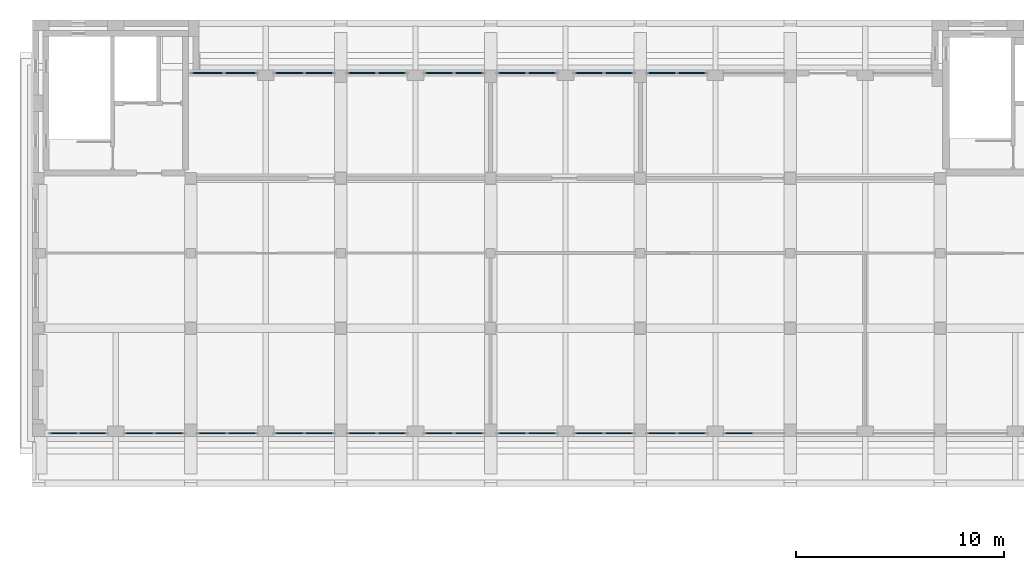
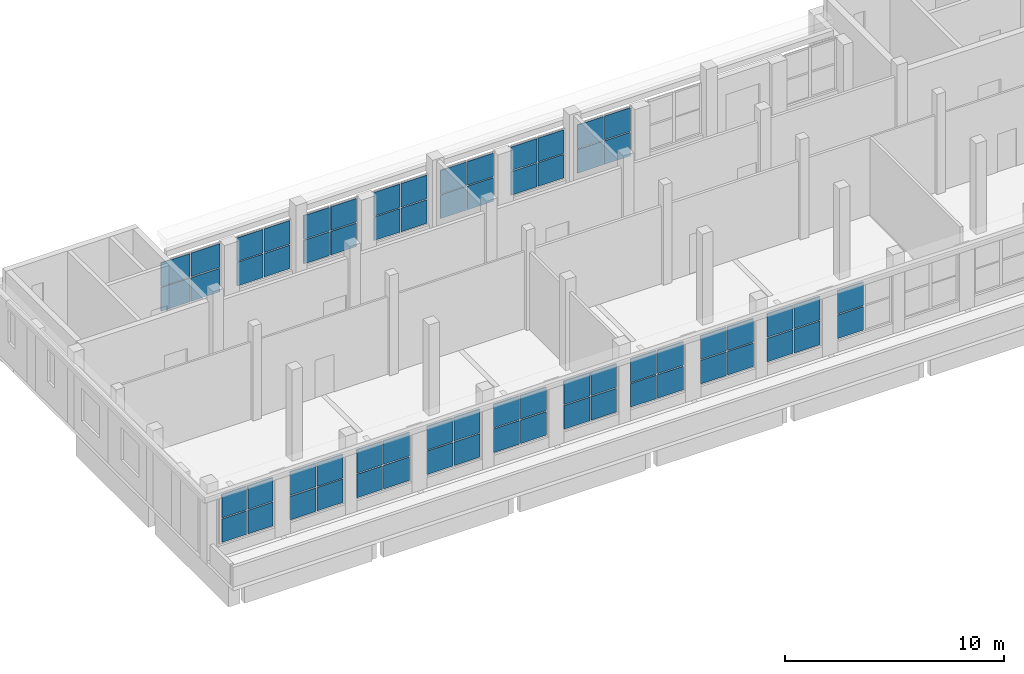
# One storey, part 11 of 30: 66 plates, 17 elements without a shape of their own.
"""IFC4 building model written with IfcOpenShell, lengths in metres."""

from ifc_helpers import new_model, si_unit, direction, frame, origin, origin_2d, place, context, subcontext, project, spatial, rectangle, extrude, material, layer, layer_set, type_object, element, aggregate, save


model = new_model("IFC4")

# Units and contexts
model_context = context("Model", 3, precision=1e-05, world=origin(), true_north=direction((0.0, 1.0)))
body_context = subcontext(model_context, "Body", "Model", "MODEL_VIEW")
ifc_project = project(units=[si_unit("LENGTHUNIT", "METRE"), si_unit("AREAUNIT", "SQUARE_METRE"), si_unit("VOLUMEUNIT", "CUBIC_METRE"), si_unit("PLANEANGLEUNIT", "RADIAN"), si_unit("MASSUNIT", "GRAM", prefix="KILO")], contexts=[model_context])

# Site, building, storey
site_placement = place(None, origin())
site = spatial("IfcSite", under=ifc_project, at=site_placement, CompositionType="ELEMENT")
building_placement = place(site_placement, origin())
building = spatial("IfcBuilding", under=site, at=building_placement, Name="Ussher Court Research Institute", CompositionType="ELEMENT")
storey_placement = place(building_placement, frame((0.0, 0.0, 27.89990234375)))
storey = spatial("IfcBuildingStorey", under=building, at=storey_placement, Name="L06", CompositionType="ELEMENT", Elevation=27.89990234375)

# Curtain wall, plates
ifc_material_1 = material(Name="Bronze anodised aluminium with insulated low-e glass", Category="aluminium")
ifc_layer_1 = layer(ifc_material_1, 0.1201171875)
ifc_layer_set_1 = layer_set([ifc_layer_1], Name="Bronze anodised aluminium with insulated low-e glass")
curtain_wall_type = type_object("IfcCurtainWallType", Name="Curtain wall attic gallery glazing", PredefinedType="NOTDEFINED", material=ifc_layer_set_1)
curtain_wall_1_placement = place(storey_placement, origin())
curtain_wall_1 = element("IfcCurtainWall", 1, at=curtain_wall_1_placement, inside=storey, type_object=curtain_wall_type, Name="Curtain wall CW11 L06", PredefinedType="NOTDEFINED")
ifc_material_2 = material(Name="Insulated glazed unit low-e")
ifc_layer_2 = layer(ifc_material_2, 0.06005859375)
ifc_layer_set_2 = layer_set([ifc_layer_2], Name="Insulated glazed unit low-e")
plate_type = type_object("IfcPlateType", Name="Insulated glazing panel 60 mm", PredefinedType="CURTAIN_PANEL", material=ifc_layer_set_2)
plate_1_placement = place(storey_placement, frame((36.5400390625, 70.949951171875, 0.66015625), z_axis=(0.0, 0.0, 1.0), x_axis=(-1.0, 0.0, 0.0)))
plate_1 = element("IfcPlate", 2, at=plate_1_placement, type_object=plate_type, Name="CW11 panel 2.1", PredefinedType="CURTAIN_PANEL", context=body_context, shape_type="SweptSolid", body=[
    extrude(rectangle(XDim=1.360107421875, YDim=0.06005859375, at=origin_2d()), origin(), (0.0, 0.0, 1.0), 1.31005859375),
])
plate_2_placement = place(storey_placement, frame((36.5400390625, 70.949951171875, 2.030029296875), z_axis=(0.0, 0.0, 1.0), x_axis=(-1.0, 0.0, 0.0)))
plate_2 = element("IfcPlate", 3, at=plate_2_placement, type_object=plate_type, Name="CW11 panel 2.2", PredefinedType="CURTAIN_PANEL", context=body_context, shape_type="SweptSolid", body=[
    extrude(rectangle(XDim=1.360107421875, YDim=0.06005859375, at=origin_2d()), origin(), (0.0, 0.0, 1.0), 1.31005859375),
])
aggregate(curtain_wall_1, [plate_1, plate_2])

curtain_wall_2_placement = place(storey_placement, origin())
curtain_wall_2 = element("IfcCurtainWall", 4, at=curtain_wall_2_placement, inside=storey, type_object=curtain_wall_type, Name="Curtain wall CW11 L06", PredefinedType="NOTDEFINED")
plate_3_placement = place(storey_placement, frame((34.260009765625, 70.949951171875, 0.66015625), z_axis=(0.0, 0.0, 1.0), x_axis=(-1.0, 0.0, 0.0)))
plate_3 = element("IfcPlate", 5, at=plate_3_placement, type_object=plate_type, Name="CW11 panel 1.1", PredefinedType="CURTAIN_PANEL", context=body_context, shape_type="SweptSolid", body=[
    extrude(rectangle(XDim=1.360107421875, YDim=0.06005859375, at=origin_2d()), origin(), (0.0, 0.0, 1.0), 1.31005859375),
])
plate_4_placement = place(storey_placement, frame((34.260009765625, 70.949951171875, 2.030029296875), z_axis=(0.0, 0.0, 1.0), x_axis=(-1.0, 0.0, 0.0)))
plate_4 = element("IfcPlate", 6, at=plate_4_placement, type_object=plate_type, Name="CW11 panel 1.2", PredefinedType="CURTAIN_PANEL", context=body_context, shape_type="SweptSolid", body=[
    extrude(rectangle(XDim=1.360107421875, YDim=0.06005859375, at=origin_2d()), origin(), (0.0, 0.0, 1.0), 1.31005859375),
])
plate_5_placement = place(storey_placement, frame((32.840087890625, 70.949951171875, 0.66015625), z_axis=(0.0, 0.0, 1.0), x_axis=(-1.0, 0.0, 0.0)))
plate_5 = element("IfcPlate", 7, at=plate_5_placement, type_object=plate_type, Name="CW11 panel 2.1", PredefinedType="CURTAIN_PANEL", context=body_context, shape_type="SweptSolid", body=[
    extrude(rectangle(XDim=1.360107421875, YDim=0.06005859375, at=origin_2d()), origin(), (0.0, 0.0, 1.0), 1.31005859375),
])
plate_6_placement = place(storey_placement, frame((32.840087890625, 70.949951171875, 2.030029296875), z_axis=(0.0, 0.0, 1.0), x_axis=(-1.0, 0.0, 0.0)))
plate_6 = element("IfcPlate", 8, at=plate_6_placement, type_object=plate_type, Name="CW11 panel 2.2", PredefinedType="CURTAIN_PANEL", context=body_context, shape_type="SweptSolid", body=[
    extrude(rectangle(XDim=1.360107421875, YDim=0.06005859375, at=origin_2d()), origin(), (0.0, 0.0, 1.0), 1.31005859375),
])
aggregate(curtain_wall_2, [plate_3, plate_4, plate_5, plate_6])

curtain_wall_3_placement = place(storey_placement, origin())
curtain_wall_3 = element("IfcCurtainWall", 9, at=curtain_wall_3_placement, inside=storey, type_object=curtain_wall_type, Name="Curtain wall CW11 L06", PredefinedType="NOTDEFINED")
plate_7_placement = place(storey_placement, frame((30.760009765625, 70.949951171875, 0.66015625), z_axis=(0.0, 0.0, 1.0), x_axis=(-1.0, 0.0, 0.0)))
plate_7 = element("IfcPlate", 10, at=plate_7_placement, type_object=plate_type, Name="CW11 panel 1.1", PredefinedType="CURTAIN_PANEL", context=body_context, shape_type="SweptSolid", body=[
    extrude(rectangle(XDim=1.360107421875, YDim=0.06005859375, at=origin_2d()), origin(), (0.0, 0.0, 1.0), 1.31005859375),
])
plate_8_placement = place(storey_placement, frame((30.760009765625, 70.949951171875, 2.030029296875), z_axis=(0.0, 0.0, 1.0), x_axis=(-1.0, 0.0, 0.0)))
plate_8 = element("IfcPlate", 11, at=plate_8_placement, type_object=plate_type, Name="CW11 panel 1.2", PredefinedType="CURTAIN_PANEL", context=body_context, shape_type="SweptSolid", body=[
    extrude(rectangle(XDim=1.360107421875, YDim=0.06005859375, at=origin_2d()), origin(), (0.0, 0.0, 1.0), 1.31005859375),
])
plate_9_placement = place(storey_placement, frame((29.340087890625, 70.949951171875, 0.66015625), z_axis=(0.0, 0.0, 1.0), x_axis=(-1.0, 0.0, 0.0)))
plate_9 = element("IfcPlate", 12, at=plate_9_placement, type_object=plate_type, Name="CW11 panel 2.1", PredefinedType="CURTAIN_PANEL", context=body_context, shape_type="SweptSolid", body=[
    extrude(rectangle(XDim=1.360107421875, YDim=0.06005859375, at=origin_2d()), origin(), (0.0, 0.0, 1.0), 1.31005859375),
])
plate_10_placement = place(storey_placement, frame((29.340087890625, 70.949951171875, 2.030029296875), z_axis=(0.0, 0.0, 1.0), x_axis=(-1.0, 0.0, 0.0)))
plate_10 = element("IfcPlate", 13, at=plate_10_placement, type_object=plate_type, Name="CW11 panel 2.2", PredefinedType="CURTAIN_PANEL", context=body_context, shape_type="SweptSolid", body=[
    extrude(rectangle(XDim=1.360107421875, YDim=0.06005859375, at=origin_2d()), origin(), (0.0, 0.0, 1.0), 1.31005859375),
])
aggregate(curtain_wall_3, [plate_7, plate_8, plate_9, plate_10])

curtain_wall_4_placement = place(storey_placement, origin())
curtain_wall_4 = element("IfcCurtainWall", 14, at=curtain_wall_4_placement, inside=storey, type_object=curtain_wall_type, Name="Curtain wall CW11 L06", PredefinedType="NOTDEFINED")
plate_11_placement = place(storey_placement, frame((27.06005859375, 70.949951171875, 0.66015625), z_axis=(0.0, 0.0, 1.0), x_axis=(-1.0, 0.0, 0.0)))
plate_11 = element("IfcPlate", 15, at=plate_11_placement, type_object=plate_type, Name="CW11 panel 1.1", PredefinedType="CURTAIN_PANEL", context=body_context, shape_type="SweptSolid", body=[
    extrude(rectangle(XDim=1.360107421875, YDim=0.06005859375, at=origin_2d()), origin(), (0.0, 0.0, 1.0), 1.31005859375),
])
plate_12_placement = place(storey_placement, frame((27.06005859375, 70.949951171875, 2.030029296875), z_axis=(0.0, 0.0, 1.0), x_axis=(-1.0, 0.0, 0.0)))
plate_12 = element("IfcPlate", 16, at=plate_12_placement, type_object=plate_type, Name="CW11 panel 1.2", PredefinedType="CURTAIN_PANEL", context=body_context, shape_type="SweptSolid", body=[
    extrude(rectangle(XDim=1.360107421875, YDim=0.06005859375, at=origin_2d()), origin(), (0.0, 0.0, 1.0), 1.31005859375),
])
plate_13_placement = place(storey_placement, frame((25.639892578125, 70.949951171875, 0.66015625), z_axis=(0.0, 0.0, 1.0), x_axis=(-1.0, 0.0, 0.0)))
plate_13 = element("IfcPlate", 17, at=plate_13_placement, type_object=plate_type, Name="CW11 panel 2.1", PredefinedType="CURTAIN_PANEL", context=body_context, shape_type="SweptSolid", body=[
    extrude(rectangle(XDim=1.360107421875, YDim=0.06005859375, at=origin_2d()), origin(), (0.0, 0.0, 1.0), 1.31005859375),
])
plate_14_placement = place(storey_placement, frame((25.639892578125, 70.949951171875, 2.030029296875), z_axis=(0.0, 0.0, 1.0), x_axis=(-1.0, 0.0, 0.0)))
plate_14 = element("IfcPlate", 18, at=plate_14_placement, type_object=plate_type, Name="CW11 panel 2.2", PredefinedType="CURTAIN_PANEL", context=body_context, shape_type="SweptSolid", body=[
    extrude(rectangle(XDim=1.360107421875, YDim=0.06005859375, at=origin_2d()), origin(), (0.0, 0.0, 1.0), 1.31005859375),
])
aggregate(curtain_wall_4, [plate_11, plate_12, plate_13, plate_14])

curtain_wall_5_placement = place(storey_placement, origin())
curtain_wall_5 = element("IfcCurtainWall", 19, at=curtain_wall_5_placement, inside=storey, type_object=curtain_wall_type, Name="Curtain wall CW11 L06", PredefinedType="NOTDEFINED")
plate_15_placement = place(storey_placement, frame((23.56005859375, 70.949951171875, 0.66015625), z_axis=(0.0, 0.0, 1.0), x_axis=(-1.0, 0.0, 0.0)))
plate_15 = element("IfcPlate", 20, at=plate_15_placement, type_object=plate_type, Name="CW11 panel 1.1", PredefinedType="CURTAIN_PANEL", context=body_context, shape_type="SweptSolid", body=[
    extrude(rectangle(XDim=1.360107421875, YDim=0.06005859375, at=origin_2d()), origin(), (0.0, 0.0, 1.0), 1.31005859375),
])
plate_16_placement = place(storey_placement, frame((23.56005859375, 70.949951171875, 2.030029296875), z_axis=(0.0, 0.0, 1.0), x_axis=(-1.0, 0.0, 0.0)))
plate_16 = element("IfcPlate", 21, at=plate_16_placement, type_object=plate_type, Name="CW11 panel 1.2", PredefinedType="CURTAIN_PANEL", context=body_context, shape_type="SweptSolid", body=[
    extrude(rectangle(XDim=1.360107421875, YDim=0.06005859375, at=origin_2d()), origin(), (0.0, 0.0, 1.0), 1.31005859375),
])
plate_17_placement = place(storey_placement, frame((22.139892578125, 70.949951171875, 0.66015625), z_axis=(0.0, 0.0, 1.0), x_axis=(-1.0, 0.0, 0.0)))
plate_17 = element("IfcPlate", 22, at=plate_17_placement, type_object=plate_type, Name="CW11 panel 2.1", PredefinedType="CURTAIN_PANEL", context=body_context, shape_type="SweptSolid", body=[
    extrude(rectangle(XDim=1.360107421875, YDim=0.06005859375, at=origin_2d()), origin(), (0.0, 0.0, 1.0), 1.31005859375),
])
plate_18_placement = place(storey_placement, frame((22.139892578125, 70.949951171875, 2.030029296875), z_axis=(0.0, 0.0, 1.0), x_axis=(-1.0, 0.0, 0.0)))
plate_18 = element("IfcPlate", 23, at=plate_18_placement, type_object=plate_type, Name="CW11 panel 2.2", PredefinedType="CURTAIN_PANEL", context=body_context, shape_type="SweptSolid", body=[
    extrude(rectangle(XDim=1.360107421875, YDim=0.06005859375, at=origin_2d()), origin(), (0.0, 0.0, 1.0), 1.31005859375),
])
aggregate(curtain_wall_5, [plate_15, plate_16, plate_17, plate_18])

curtain_wall_6_placement = place(storey_placement, origin())
curtain_wall_6 = element("IfcCurtainWall", 24, at=curtain_wall_6_placement, inside=storey, type_object=curtain_wall_type, Name="Curtain wall CW11 L06", PredefinedType="NOTDEFINED")
plate_19_placement = place(storey_placement, frame((19.860107421875, 70.949951171875, 0.66015625), z_axis=(0.0, 0.0, 1.0), x_axis=(-1.0, 0.0, 0.0)))
plate_19 = element("IfcPlate", 25, at=plate_19_placement, type_object=plate_type, Name="CW11 panel 1.1", PredefinedType="CURTAIN_PANEL", context=body_context, shape_type="SweptSolid", body=[
    extrude(rectangle(XDim=1.360107421875, YDim=0.06005859375, at=origin_2d()), origin(), (0.0, 0.0, 1.0), 1.31005859375),
])
plate_20_placement = place(storey_placement, frame((19.860107421875, 70.949951171875, 2.030029296875), z_axis=(0.0, 0.0, 1.0), x_axis=(-1.0, 0.0, 0.0)))
plate_20 = element("IfcPlate", 26, at=plate_20_placement, type_object=plate_type, Name="CW11 panel 1.2", PredefinedType="CURTAIN_PANEL", context=body_context, shape_type="SweptSolid", body=[
    extrude(rectangle(XDim=1.360107421875, YDim=0.06005859375, at=origin_2d()), origin(), (0.0, 0.0, 1.0), 1.31005859375),
])
plate_21_placement = place(storey_placement, frame((18.43994140625, 70.949951171875, 0.66015625), z_axis=(0.0, 0.0, 1.0), x_axis=(-1.0, 0.0, 0.0)))
plate_21 = element("IfcPlate", 27, at=plate_21_placement, type_object=plate_type, Name="CW11 panel 2.1", PredefinedType="CURTAIN_PANEL", context=body_context, shape_type="SweptSolid", body=[
    extrude(rectangle(XDim=1.360107421875, YDim=0.06005859375, at=origin_2d()), origin(), (0.0, 0.0, 1.0), 1.31005859375),
])
plate_22_placement = place(storey_placement, frame((18.43994140625, 70.949951171875, 2.030029296875), z_axis=(0.0, 0.0, 1.0), x_axis=(-1.0, 0.0, 0.0)))
plate_22 = element("IfcPlate", 28, at=plate_22_placement, type_object=plate_type, Name="CW11 panel 2.2", PredefinedType="CURTAIN_PANEL", context=body_context, shape_type="SweptSolid", body=[
    extrude(rectangle(XDim=1.360107421875, YDim=0.06005859375, at=origin_2d()), origin(), (0.0, 0.0, 1.0), 1.31005859375),
])
aggregate(curtain_wall_6, [plate_19, plate_20, plate_21, plate_22])

curtain_wall_7_placement = place(storey_placement, origin())
curtain_wall_7 = element("IfcCurtainWall", 29, at=curtain_wall_7_placement, inside=storey, type_object=curtain_wall_type, Name="Curtain wall CW11 L06", PredefinedType="NOTDEFINED")
plate_23_placement = place(storey_placement, frame((16.360107421875, 70.949951171875, 0.66015625), z_axis=(0.0, 0.0, 1.0), x_axis=(-1.0, 0.0, 0.0)))
plate_23 = element("IfcPlate", 30, at=plate_23_placement, type_object=plate_type, Name="CW11 panel 1.1", PredefinedType="CURTAIN_PANEL", context=body_context, shape_type="SweptSolid", body=[
    extrude(rectangle(XDim=1.360107421875, YDim=0.06005859375, at=origin_2d()), origin(), (0.0, 0.0, 1.0), 1.31005859375),
])
plate_24_placement = place(storey_placement, frame((16.360107421875, 70.949951171875, 2.030029296875), z_axis=(0.0, 0.0, 1.0), x_axis=(-1.0, 0.0, 0.0)))
plate_24 = element("IfcPlate", 31, at=plate_24_placement, type_object=plate_type, Name="CW11 panel 1.2", PredefinedType="CURTAIN_PANEL", context=body_context, shape_type="SweptSolid", body=[
    extrude(rectangle(XDim=1.360107421875, YDim=0.06005859375, at=origin_2d()), origin(), (0.0, 0.0, 1.0), 1.31005859375),
])
plate_25_placement = place(storey_placement, frame((14.93994140625, 70.949951171875, 0.66015625), z_axis=(0.0, 0.0, 1.0), x_axis=(-1.0, 0.0, 0.0)))
plate_25 = element("IfcPlate", 32, at=plate_25_placement, type_object=plate_type, Name="CW11 panel 2.1", PredefinedType="CURTAIN_PANEL", context=body_context, shape_type="SweptSolid", body=[
    extrude(rectangle(XDim=1.360107421875, YDim=0.06005859375, at=origin_2d()), origin(), (0.0, 0.0, 1.0), 1.31005859375),
])
plate_26_placement = place(storey_placement, frame((14.93994140625, 70.949951171875, 2.030029296875), z_axis=(0.0, 0.0, 1.0), x_axis=(-1.0, 0.0, 0.0)))
plate_26 = element("IfcPlate", 33, at=plate_26_placement, type_object=plate_type, Name="CW11 panel 2.2", PredefinedType="CURTAIN_PANEL", context=body_context, shape_type="SweptSolid", body=[
    extrude(rectangle(XDim=1.360107421875, YDim=0.06005859375, at=origin_2d()), origin(), (0.0, 0.0, 1.0), 1.31005859375),
])
aggregate(curtain_wall_7, [plate_23, plate_24, plate_25, plate_26])

curtain_wall_8_placement = place(storey_placement, origin())
curtain_wall_8 = element("IfcCurtainWall", 34, at=curtain_wall_8_placement, inside=storey, type_object=curtain_wall_type, Name="Curtain wall CW11 L06", PredefinedType="NOTDEFINED")
plate_27_placement = place(storey_placement, frame((12.659912109375, 70.949951171875, 0.66015625), z_axis=(0.0, 0.0, 1.0), x_axis=(-1.0, 0.0, 0.0)))
plate_27 = element("IfcPlate", 35, at=plate_27_placement, type_object=plate_type, Name="CW11 panel 1.1", PredefinedType="CURTAIN_PANEL", context=body_context, shape_type="SweptSolid", body=[
    extrude(rectangle(XDim=1.360107421875, YDim=0.06005859375, at=origin_2d()), origin(), (0.0, 0.0, 1.0), 1.31005859375),
])
plate_28_placement = place(storey_placement, frame((12.659912109375, 70.949951171875, 2.030029296875), z_axis=(0.0, 0.0, 1.0), x_axis=(-1.0, 0.0, 0.0)))
plate_28 = element("IfcPlate", 36, at=plate_28_placement, type_object=plate_type, Name="CW11 panel 1.2", PredefinedType="CURTAIN_PANEL", context=body_context, shape_type="SweptSolid", body=[
    extrude(rectangle(XDim=1.360107421875, YDim=0.06005859375, at=origin_2d()), origin(), (0.0, 0.0, 1.0), 1.31005859375),
])
plate_29_placement = place(storey_placement, frame((11.239990234375, 70.949951171875, 0.66015625), z_axis=(0.0, 0.0, 1.0), x_axis=(-1.0, 0.0, 0.0)))
plate_29 = element("IfcPlate", 37, at=plate_29_placement, type_object=plate_type, Name="CW11 panel 2.1", PredefinedType="CURTAIN_PANEL", context=body_context, shape_type="SweptSolid", body=[
    extrude(rectangle(XDim=1.360107421875, YDim=0.06005859375, at=origin_2d()), origin(), (0.0, 0.0, 1.0), 1.31005859375),
])
plate_30_placement = place(storey_placement, frame((11.239990234375, 70.949951171875, 2.030029296875), z_axis=(0.0, 0.0, 1.0), x_axis=(-1.0, 0.0, 0.0)))
plate_30 = element("IfcPlate", 38, at=plate_30_placement, type_object=plate_type, Name="CW11 panel 2.2", PredefinedType="CURTAIN_PANEL", context=body_context, shape_type="SweptSolid", body=[
    extrude(rectangle(XDim=1.360107421875, YDim=0.06005859375, at=origin_2d()), origin(), (0.0, 0.0, 1.0), 1.31005859375),
])
aggregate(curtain_wall_8, [plate_27, plate_28, plate_29, plate_30])

curtain_wall_9_placement = place(storey_placement, origin())
curtain_wall_9 = element("IfcCurtainWall", 39, at=curtain_wall_9_placement, inside=storey, type_object=curtain_wall_type, Name="Curtain wall CW11 L06", PredefinedType="NOTDEFINED")
plate_31_placement = place(storey_placement, frame((9.159912109375, 70.949951171875, 0.66015625), z_axis=(0.0, 0.0, 1.0), x_axis=(-1.0, 0.0, 0.0)))
plate_31 = element("IfcPlate", 40, at=plate_31_placement, type_object=plate_type, Name="CW11 panel 1.1", PredefinedType="CURTAIN_PANEL", context=body_context, shape_type="SweptSolid", body=[
    extrude(rectangle(XDim=1.360107421875, YDim=0.06005859375, at=origin_2d()), origin(), (0.0, 0.0, 1.0), 1.31005859375),
])
plate_32_placement = place(storey_placement, frame((9.159912109375, 70.949951171875, 2.030029296875), z_axis=(0.0, 0.0, 1.0), x_axis=(-1.0, 0.0, 0.0)))
plate_32 = element("IfcPlate", 41, at=plate_32_placement, type_object=plate_type, Name="CW11 panel 1.2", PredefinedType="CURTAIN_PANEL", context=body_context, shape_type="SweptSolid", body=[
    extrude(rectangle(XDim=1.360107421875, YDim=0.06005859375, at=origin_2d()), origin(), (0.0, 0.0, 1.0), 1.31005859375),
])
plate_33_placement = place(storey_placement, frame((7.739990234375, 70.949951171875, 0.66015625), z_axis=(0.0, 0.0, 1.0), x_axis=(-1.0, 0.0, 0.0)))
plate_33 = element("IfcPlate", 42, at=plate_33_placement, type_object=plate_type, Name="CW11 panel 2.1", PredefinedType="CURTAIN_PANEL", context=body_context, shape_type="SweptSolid", body=[
    extrude(rectangle(XDim=1.360107421875, YDim=0.06005859375, at=origin_2d()), origin(), (0.0, 0.0, 1.0), 1.31005859375),
])
plate_34_placement = place(storey_placement, frame((7.739990234375, 70.949951171875, 2.030029296875), z_axis=(0.0, 0.0, 1.0), x_axis=(-1.0, 0.0, 0.0)))
plate_34 = element("IfcPlate", 43, at=plate_34_placement, type_object=plate_type, Name="CW11 panel 2.2", PredefinedType="CURTAIN_PANEL", context=body_context, shape_type="SweptSolid", body=[
    extrude(rectangle(XDim=1.360107421875, YDim=0.06005859375, at=origin_2d()), origin(), (0.0, 0.0, 1.0), 1.31005859375),
])
aggregate(curtain_wall_9, [plate_31, plate_32, plate_33, plate_34])

curtain_wall_10_placement = place(storey_placement, origin())
curtain_wall_10 = element("IfcCurtainWall", 44, at=curtain_wall_10_placement, inside=storey, type_object=curtain_wall_type, Name="Curtain wall CW11 L06", PredefinedType="NOTDEFINED")
plate_35_placement = place(storey_placement, frame((5.485107421875, 70.949951171875, 0.66015625), z_axis=(0.0, 0.0, 1.0), x_axis=(-1.0, 0.0, 0.0)))
plate_35 = element("IfcPlate", 45, at=plate_35_placement, type_object=plate_type, Name="CW11 panel 1.1", PredefinedType="CURTAIN_PANEL", context=body_context, shape_type="SweptSolid", body=[
    extrude(rectangle(XDim=1.31005859375, YDim=0.06005859375, at=origin_2d()), origin(), (0.0, 0.0, 1.0), 1.31005859375),
])
plate_36_placement = place(storey_placement, frame((5.485107421875, 70.949951171875, 2.030029296875), z_axis=(0.0, 0.0, 1.0), x_axis=(-1.0, 0.0, 0.0)))
plate_36 = element("IfcPlate", 46, at=plate_36_placement, type_object=plate_type, Name="CW11 panel 1.2", PredefinedType="CURTAIN_PANEL", context=body_context, shape_type="SweptSolid", body=[
    extrude(rectangle(XDim=1.31005859375, YDim=0.06005859375, at=origin_2d()), origin(), (0.0, 0.0, 1.0), 1.31005859375),
])
plate_37_placement = place(storey_placement, frame((4.114990234375, 70.949951171875, 0.66015625), z_axis=(0.0, 0.0, 1.0), x_axis=(-1.0, 0.0, 0.0)))
plate_37 = element("IfcPlate", 47, at=plate_37_placement, type_object=plate_type, Name="CW11 panel 2.1", PredefinedType="CURTAIN_PANEL", context=body_context, shape_type="SweptSolid", body=[
    extrude(rectangle(XDim=1.31005859375, YDim=0.06005859375, at=origin_2d()), origin(), (0.0, 0.0, 1.0), 1.31005859375),
])
plate_38_placement = place(storey_placement, frame((4.114990234375, 70.949951171875, 2.030029296875), z_axis=(0.0, 0.0, 1.0), x_axis=(-1.0, 0.0, 0.0)))
plate_38 = element("IfcPlate", 48, at=plate_38_placement, type_object=plate_type, Name="CW11 panel 2.2", PredefinedType="CURTAIN_PANEL", context=body_context, shape_type="SweptSolid", body=[
    extrude(rectangle(XDim=1.31005859375, YDim=0.06005859375, at=origin_2d()), origin(), (0.0, 0.0, 1.0), 1.31005859375),
])
aggregate(curtain_wall_10, [plate_35, plate_36, plate_37, plate_38])

curtain_wall_11_placement = place(storey_placement, origin())
curtain_wall_11 = element("IfcCurtainWall", 49, at=curtain_wall_11_placement, inside=storey, type_object=curtain_wall_type, Name="Curtain wall CW11 L06", PredefinedType="NOTDEFINED")
plate_39_placement = place(storey_placement, frame((11.014892578125, 88.25, 0.66015625), z_axis=(0.0, 0.0, 1.0), x_axis=(1.0, 0.0, 0.0)))
plate_39 = element("IfcPlate", 50, at=plate_39_placement, type_object=plate_type, Name="CW11 panel 1.1", PredefinedType="CURTAIN_PANEL", context=body_context, shape_type="SweptSolid", body=[
    extrude(rectangle(XDim=1.510009765625, YDim=0.06005859375, at=origin_2d()), origin(), (0.0, 0.0, 1.0), 1.31005859375),
])
plate_40_placement = place(storey_placement, frame((11.014892578125, 88.25, 2.030029296875), z_axis=(0.0, 0.0, 1.0), x_axis=(1.0, 0.0, 0.0)))
plate_40 = element("IfcPlate", 51, at=plate_40_placement, type_object=plate_type, Name="CW11 panel 1.2", PredefinedType="CURTAIN_PANEL", context=body_context, shape_type="SweptSolid", body=[
    extrude(rectangle(XDim=1.510009765625, YDim=0.06005859375, at=origin_2d()), origin(), (0.0, 0.0, 1.0), 1.31005859375),
])
plate_41_placement = place(storey_placement, frame((12.5849609375, 88.25, 0.66015625), z_axis=(0.0, 0.0, 1.0), x_axis=(1.0, 0.0, 0.0)))
plate_41 = element("IfcPlate", 52, at=plate_41_placement, type_object=plate_type, Name="CW11 panel 2.1", PredefinedType="CURTAIN_PANEL", context=body_context, shape_type="SweptSolid", body=[
    extrude(rectangle(XDim=1.510009765625, YDim=0.06005859375, at=origin_2d()), origin(), (0.0, 0.0, 1.0), 1.31005859375),
])
plate_42_placement = place(storey_placement, frame((12.5849609375, 88.25, 2.030029296875), z_axis=(0.0, 0.0, 1.0), x_axis=(1.0, 0.0, 0.0)))
plate_42 = element("IfcPlate", 53, at=plate_42_placement, type_object=plate_type, Name="CW11 panel 2.2", PredefinedType="CURTAIN_PANEL", context=body_context, shape_type="SweptSolid", body=[
    extrude(rectangle(XDim=1.510009765625, YDim=0.06005859375, at=origin_2d()), origin(), (0.0, 0.0, 1.0), 1.31005859375),
])
aggregate(curtain_wall_11, [plate_39, plate_40, plate_41, plate_42])

curtain_wall_12_placement = place(storey_placement, origin())
curtain_wall_12 = element("IfcCurtainWall", 54, at=curtain_wall_12_placement, inside=storey, type_object=curtain_wall_type, Name="Curtain wall CW11 L06", PredefinedType="NOTDEFINED")
plate_43_placement = place(storey_placement, frame((14.93994140625, 88.25, 0.66015625), z_axis=(0.0, 0.0, 1.0), x_axis=(1.0, 0.0, 0.0)))
plate_43 = element("IfcPlate", 55, at=plate_43_placement, type_object=plate_type, Name="CW11 panel 1.1", PredefinedType="CURTAIN_PANEL", context=body_context, shape_type="SweptSolid", body=[
    extrude(rectangle(XDim=1.360107421875, YDim=0.06005859375, at=origin_2d()), origin(), (0.0, 0.0, 1.0), 1.31005859375),
])
plate_44_placement = place(storey_placement, frame((14.93994140625, 88.25, 2.030029296875), z_axis=(0.0, 0.0, 1.0), x_axis=(1.0, 0.0, 0.0)))
plate_44 = element("IfcPlate", 56, at=plate_44_placement, type_object=plate_type, Name="CW11 panel 1.2", PredefinedType="CURTAIN_PANEL", context=body_context, shape_type="SweptSolid", body=[
    extrude(rectangle(XDim=1.360107421875, YDim=0.06005859375, at=origin_2d()), origin(), (0.0, 0.0, 1.0), 1.31005859375),
])
plate_45_placement = place(storey_placement, frame((16.360107421875, 88.25, 0.66015625), z_axis=(0.0, 0.0, 1.0), x_axis=(1.0, 0.0, 0.0)))
plate_45 = element("IfcPlate", 57, at=plate_45_placement, type_object=plate_type, Name="CW11 panel 2.1", PredefinedType="CURTAIN_PANEL", context=body_context, shape_type="SweptSolid", body=[
    extrude(rectangle(XDim=1.360107421875, YDim=0.06005859375, at=origin_2d()), origin(), (0.0, 0.0, 1.0), 1.31005859375),
])
plate_46_placement = place(storey_placement, frame((16.360107421875, 88.25, 2.030029296875), z_axis=(0.0, 0.0, 1.0), x_axis=(1.0, 0.0, 0.0)))
plate_46 = element("IfcPlate", 58, at=plate_46_placement, type_object=plate_type, Name="CW11 panel 2.2", PredefinedType="CURTAIN_PANEL", context=body_context, shape_type="SweptSolid", body=[
    extrude(rectangle(XDim=1.360107421875, YDim=0.06005859375, at=origin_2d()), origin(), (0.0, 0.0, 1.0), 1.31005859375),
])
aggregate(curtain_wall_12, [plate_43, plate_44, plate_45, plate_46])

curtain_wall_13_placement = place(storey_placement, origin())
curtain_wall_13 = element("IfcCurtainWall", 59, at=curtain_wall_13_placement, inside=storey, type_object=curtain_wall_type, Name="Curtain wall CW11 L06", PredefinedType="NOTDEFINED")
plate_47_placement = place(storey_placement, frame((18.43994140625, 88.25, 0.66015625), z_axis=(0.0, 0.0, 1.0), x_axis=(1.0, 0.0, 0.0)))
plate_47 = element("IfcPlate", 60, at=plate_47_placement, type_object=plate_type, Name="CW11 panel 1.1", PredefinedType="CURTAIN_PANEL", context=body_context, shape_type="SweptSolid", body=[
    extrude(rectangle(XDim=1.360107421875, YDim=0.06005859375, at=origin_2d()), origin(), (0.0, 0.0, 1.0), 1.31005859375),
])
plate_48_placement = place(storey_placement, frame((18.43994140625, 88.25, 2.030029296875), z_axis=(0.0, 0.0, 1.0), x_axis=(1.0, 0.0, 0.0)))
plate_48 = element("IfcPlate", 61, at=plate_48_placement, type_object=plate_type, Name="CW11 panel 1.2", PredefinedType="CURTAIN_PANEL", context=body_context, shape_type="SweptSolid", body=[
    extrude(rectangle(XDim=1.360107421875, YDim=0.06005859375, at=origin_2d()), origin(), (0.0, 0.0, 1.0), 1.31005859375),
])
plate_49_placement = place(storey_placement, frame((19.860107421875, 88.25, 0.66015625), z_axis=(0.0, 0.0, 1.0), x_axis=(1.0, 0.0, 0.0)))
plate_49 = element("IfcPlate", 62, at=plate_49_placement, type_object=plate_type, Name="CW11 panel 2.1", PredefinedType="CURTAIN_PANEL", context=body_context, shape_type="SweptSolid", body=[
    extrude(rectangle(XDim=1.360107421875, YDim=0.06005859375, at=origin_2d()), origin(), (0.0, 0.0, 1.0), 1.31005859375),
])
plate_50_placement = place(storey_placement, frame((19.860107421875, 88.25, 2.030029296875), z_axis=(0.0, 0.0, 1.0), x_axis=(1.0, 0.0, 0.0)))
plate_50 = element("IfcPlate", 63, at=plate_50_placement, type_object=plate_type, Name="CW11 panel 2.2", PredefinedType="CURTAIN_PANEL", context=body_context, shape_type="SweptSolid", body=[
    extrude(rectangle(XDim=1.360107421875, YDim=0.06005859375, at=origin_2d()), origin(), (0.0, 0.0, 1.0), 1.31005859375),
])
aggregate(curtain_wall_13, [plate_47, plate_48, plate_49, plate_50])

curtain_wall_14_placement = place(storey_placement, origin())
curtain_wall_14 = element("IfcCurtainWall", 64, at=curtain_wall_14_placement, inside=storey, type_object=curtain_wall_type, Name="Curtain wall CW11 L06", PredefinedType="NOTDEFINED")
plate_51_placement = place(storey_placement, frame((22.139892578125, 88.25, 0.66015625), z_axis=(0.0, 0.0, 1.0), x_axis=(1.0, 0.0, 0.0)))
plate_51 = element("IfcPlate", 65, at=plate_51_placement, type_object=plate_type, Name="CW11 panel 1.1", PredefinedType="CURTAIN_PANEL", context=body_context, shape_type="SweptSolid", body=[
    extrude(rectangle(XDim=1.360107421875, YDim=0.06005859375, at=origin_2d()), origin(), (0.0, 0.0, 1.0), 1.31005859375),
])
plate_52_placement = place(storey_placement, frame((22.139892578125, 88.25, 2.030029296875), z_axis=(0.0, 0.0, 1.0), x_axis=(1.0, 0.0, 0.0)))
plate_52 = element("IfcPlate", 66, at=plate_52_placement, type_object=plate_type, Name="CW11 panel 1.2", PredefinedType="CURTAIN_PANEL", context=body_context, shape_type="SweptSolid", body=[
    extrude(rectangle(XDim=1.360107421875, YDim=0.06005859375, at=origin_2d()), origin(), (0.0, 0.0, 1.0), 1.31005859375),
])
plate_53_placement = place(storey_placement, frame((23.56005859375, 88.25, 0.66015625), z_axis=(0.0, 0.0, 1.0), x_axis=(1.0, 0.0, 0.0)))
plate_53 = element("IfcPlate", 67, at=plate_53_placement, type_object=plate_type, Name="CW11 panel 2.1", PredefinedType="CURTAIN_PANEL", context=body_context, shape_type="SweptSolid", body=[
    extrude(rectangle(XDim=1.360107421875, YDim=0.06005859375, at=origin_2d()), origin(), (0.0, 0.0, 1.0), 1.31005859375),
])
plate_54_placement = place(storey_placement, frame((23.56005859375, 88.25, 2.030029296875), z_axis=(0.0, 0.0, 1.0), x_axis=(1.0, 0.0, 0.0)))
plate_54 = element("IfcPlate", 68, at=plate_54_placement, type_object=plate_type, Name="CW11 panel 2.2", PredefinedType="CURTAIN_PANEL", context=body_context, shape_type="SweptSolid", body=[
    extrude(rectangle(XDim=1.360107421875, YDim=0.06005859375, at=origin_2d()), origin(), (0.0, 0.0, 1.0), 1.31005859375),
])
aggregate(curtain_wall_14, [plate_51, plate_52, plate_53, plate_54])

curtain_wall_15_placement = place(storey_placement, origin())
curtain_wall_15 = element("IfcCurtainWall", 69, at=curtain_wall_15_placement, inside=storey, type_object=curtain_wall_type, Name="Curtain wall CW11 L06", PredefinedType="NOTDEFINED")
plate_55_placement = place(storey_placement, frame((25.639892578125, 88.25, 0.66015625), z_axis=(0.0, 0.0, 1.0), x_axis=(1.0, 0.0, 0.0)))
plate_55 = element("IfcPlate", 70, at=plate_55_placement, type_object=plate_type, Name="CW11 panel 1.1", PredefinedType="CURTAIN_PANEL", context=body_context, shape_type="SweptSolid", body=[
    extrude(rectangle(XDim=1.360107421875, YDim=0.06005859375, at=origin_2d()), origin(), (0.0, 0.0, 1.0), 1.31005859375),
])
plate_56_placement = place(storey_placement, frame((25.639892578125, 88.25, 2.030029296875), z_axis=(0.0, 0.0, 1.0), x_axis=(1.0, 0.0, 0.0)))
plate_56 = element("IfcPlate", 71, at=plate_56_placement, type_object=plate_type, Name="CW11 panel 1.2", PredefinedType="CURTAIN_PANEL", context=body_context, shape_type="SweptSolid", body=[
    extrude(rectangle(XDim=1.360107421875, YDim=0.06005859375, at=origin_2d()), origin(), (0.0, 0.0, 1.0), 1.31005859375),
])
plate_57_placement = place(storey_placement, frame((27.06005859375, 88.25, 0.66015625), z_axis=(0.0, 0.0, 1.0), x_axis=(1.0, 0.0, 0.0)))
plate_57 = element("IfcPlate", 72, at=plate_57_placement, type_object=plate_type, Name="CW11 panel 2.1", PredefinedType="CURTAIN_PANEL", context=body_context, shape_type="SweptSolid", body=[
    extrude(rectangle(XDim=1.360107421875, YDim=0.06005859375, at=origin_2d()), origin(), (0.0, 0.0, 1.0), 1.31005859375),
])
plate_58_placement = place(storey_placement, frame((27.06005859375, 88.25, 2.030029296875), z_axis=(0.0, 0.0, 1.0), x_axis=(1.0, 0.0, 0.0)))
plate_58 = element("IfcPlate", 73, at=plate_58_placement, type_object=plate_type, Name="CW11 panel 2.2", PredefinedType="CURTAIN_PANEL", context=body_context, shape_type="SweptSolid", body=[
    extrude(rectangle(XDim=1.360107421875, YDim=0.06005859375, at=origin_2d()), origin(), (0.0, 0.0, 1.0), 1.31005859375),
])
aggregate(curtain_wall_15, [plate_55, plate_56, plate_57, plate_58])

curtain_wall_16_placement = place(storey_placement, origin())
curtain_wall_16 = element("IfcCurtainWall", 74, at=curtain_wall_16_placement, inside=storey, type_object=curtain_wall_type, Name="Curtain wall CW11 L06", PredefinedType="NOTDEFINED")
plate_59_placement = place(storey_placement, frame((29.340087890625, 88.25, 0.66015625), z_axis=(0.0, 0.0, 1.0), x_axis=(1.0, 0.0, 0.0)))
plate_59 = element("IfcPlate", 75, at=plate_59_placement, type_object=plate_type, Name="CW11 panel 1.1", PredefinedType="CURTAIN_PANEL", context=body_context, shape_type="SweptSolid", body=[
    extrude(rectangle(XDim=1.360107421875, YDim=0.06005859375, at=origin_2d()), origin(), (0.0, 0.0, 1.0), 1.31005859375),
])
plate_60_placement = place(storey_placement, frame((29.340087890625, 88.25, 2.030029296875), z_axis=(0.0, 0.0, 1.0), x_axis=(1.0, 0.0, 0.0)))
plate_60 = element("IfcPlate", 76, at=plate_60_placement, type_object=plate_type, Name="CW11 panel 1.2", PredefinedType="CURTAIN_PANEL", context=body_context, shape_type="SweptSolid", body=[
    extrude(rectangle(XDim=1.360107421875, YDim=0.06005859375, at=origin_2d()), origin(), (0.0, 0.0, 1.0), 1.31005859375),
])
plate_61_placement = place(storey_placement, frame((30.760009765625, 88.25, 0.66015625), z_axis=(0.0, 0.0, 1.0), x_axis=(1.0, 0.0, 0.0)))
plate_61 = element("IfcPlate", 77, at=plate_61_placement, type_object=plate_type, Name="CW11 panel 2.1", PredefinedType="CURTAIN_PANEL", context=body_context, shape_type="SweptSolid", body=[
    extrude(rectangle(XDim=1.360107421875, YDim=0.06005859375, at=origin_2d()), origin(), (0.0, 0.0, 1.0), 1.31005859375),
])
plate_62_placement = place(storey_placement, frame((30.760009765625, 88.25, 2.030029296875), z_axis=(0.0, 0.0, 1.0), x_axis=(1.0, 0.0, 0.0)))
plate_62 = element("IfcPlate", 78, at=plate_62_placement, type_object=plate_type, Name="CW11 panel 2.2", PredefinedType="CURTAIN_PANEL", context=body_context, shape_type="SweptSolid", body=[
    extrude(rectangle(XDim=1.360107421875, YDim=0.06005859375, at=origin_2d()), origin(), (0.0, 0.0, 1.0), 1.31005859375),
])
aggregate(curtain_wall_16, [plate_59, plate_60, plate_61, plate_62])

curtain_wall_17_placement = place(storey_placement, origin())
curtain_wall_17 = element("IfcCurtainWall", 79, at=curtain_wall_17_placement, inside=storey, type_object=curtain_wall_type, Name="Curtain wall CW11 L06", PredefinedType="NOTDEFINED")
plate_63_placement = place(storey_placement, frame((32.840087890625, 88.25, 0.66015625), z_axis=(0.0, 0.0, 1.0), x_axis=(1.0, 0.0, 0.0)))
plate_63 = element("IfcPlate", 80, at=plate_63_placement, type_object=plate_type, Name="CW11 panel 1.1", PredefinedType="CURTAIN_PANEL", context=body_context, shape_type="SweptSolid", body=[
    extrude(rectangle(XDim=1.360107421875, YDim=0.06005859375, at=origin_2d()), origin(), (0.0, 0.0, 1.0), 1.31005859375),
])
plate_64_placement = place(storey_placement, frame((32.840087890625, 88.25, 2.030029296875), z_axis=(0.0, 0.0, 1.0), x_axis=(1.0, 0.0, 0.0)))
plate_64 = element("IfcPlate", 81, at=plate_64_placement, type_object=plate_type, Name="CW11 panel 1.2", PredefinedType="CURTAIN_PANEL", context=body_context, shape_type="SweptSolid", body=[
    extrude(rectangle(XDim=1.360107421875, YDim=0.06005859375, at=origin_2d()), origin(), (0.0, 0.0, 1.0), 1.31005859375),
])
plate_65_placement = place(storey_placement, frame((34.260009765625, 88.25, 0.66015625), z_axis=(0.0, 0.0, 1.0), x_axis=(1.0, 0.0, 0.0)))
plate_65 = element("IfcPlate", 82, at=plate_65_placement, type_object=plate_type, Name="CW11 panel 2.1", PredefinedType="CURTAIN_PANEL", context=body_context, shape_type="SweptSolid", body=[
    extrude(rectangle(XDim=1.360107421875, YDim=0.06005859375, at=origin_2d()), origin(), (0.0, 0.0, 1.0), 1.31005859375),
])
plate_66_placement = place(storey_placement, frame((34.260009765625, 88.25, 2.030029296875), z_axis=(0.0, 0.0, 1.0), x_axis=(1.0, 0.0, 0.0)))
plate_66 = element("IfcPlate", 83, at=plate_66_placement, type_object=plate_type, Name="CW11 panel 2.2", PredefinedType="CURTAIN_PANEL", context=body_context, shape_type="SweptSolid", body=[
    extrude(rectangle(XDim=1.360107421875, YDim=0.06005859375, at=origin_2d()), origin(), (0.0, 0.0, 1.0), 1.31005859375),
])
aggregate(curtain_wall_17, [plate_63, plate_64, plate_65, plate_66])

save(model, "model.ifc")
